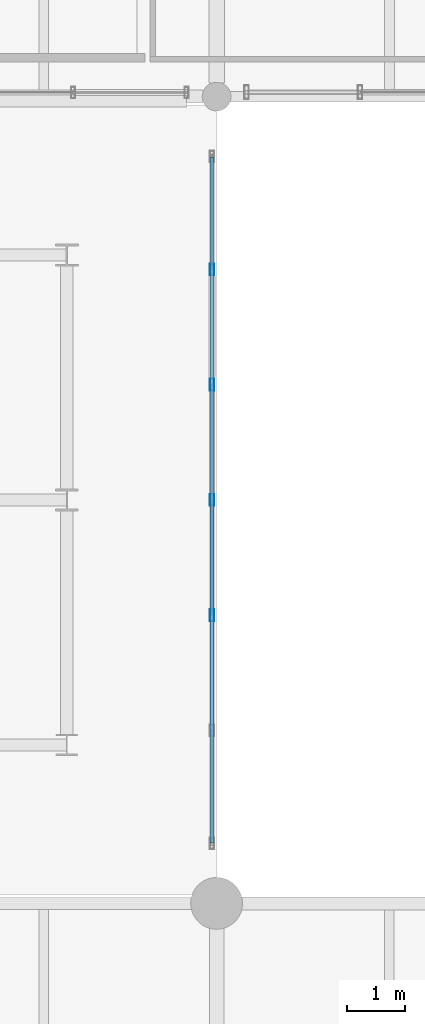
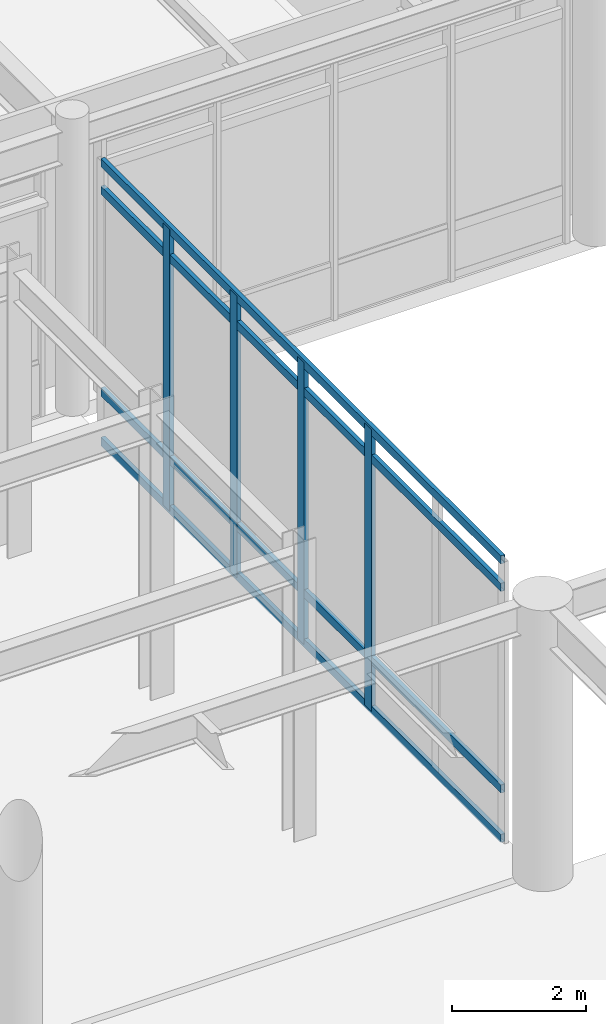
# One storey, part 79 of 203: 8 members, 1 element without a shape of its own.
"""IFC4 building model written with IfcOpenShell, lengths in metres."""

from ifc_helpers import new_model, si_unit, direction, frame, origin, origin_2d, place, context, subcontext, project, spatial, hollow_rectangle, extrude, material, material_profile, profile_set, type_object, element, aggregate, save


model = new_model("IFC4")

# Units and contexts
model_context = context("Model", 3, precision=1e-05, world=origin(), true_north=direction((0.0, 1.0)))
body_context = subcontext(model_context, "Body", "Model", "MODEL_VIEW")
ifc_project = project(units=[si_unit("LENGTHUNIT", "METRE"), si_unit("AREAUNIT", "SQUARE_METRE"), si_unit("VOLUMEUNIT", "CUBIC_METRE"), si_unit("PLANEANGLEUNIT", "RADIAN"), si_unit("MASSUNIT", "GRAM", prefix="KILO"), si_unit("THERMODYNAMICTEMPERATUREUNIT", "KELVIN"), si_unit("POWERUNIT", "WATT")], contexts=[model_context])

# Site, building, storey
site_placement = place(None, origin())
site = spatial("IfcSite", under=ifc_project, at=site_placement, CompositionType="ELEMENT")
building_placement = place(site_placement, origin())
building = spatial("IfcBuilding", under=site, at=building_placement, Name="Tepalcoro Natatorium and Aquatics Centre", CompositionType="ELEMENT")
storey_placement = place(building_placement, origin())
storey = spatial("IfcBuildingStorey", under=building, at=storey_placement, Name="L00", CompositionType="ELEMENT", Elevation=0.0)

# Curtain wall, members
ifc_material = material(Name="Bronze-Anodised Extruded Aluminium Alloy EN AW-6063 T6", Category="aluminium")
curtain_wall_type = type_object("IfcCurtainWallType", Name="CW_LINK_150", PredefinedType="USERDEFINED", material=ifc_material)
curtain_wall_placement = place(storey_placement, origin())
curtain_wall = element("IfcCurtainWall", 1, at=curtain_wall_placement, inside=storey, type_object=curtain_wall_type, Name="West Court Swimmers Arcade Glazed Wall E L00", ObjectType="UNITISED STOREFRONT", PredefinedType="USERDEFINED")
ifc_material_profile_1 = material_profile(ifc_material, hollow_rectangle(XDim=0.070068359375, YDim=0.199951171875, WallThickness=0.0048828125, at=origin_2d()), Name="AL70X200X5")
ifc_profile_set_1 = profile_set([ifc_material_profile_1], Name="Bronze-Anodised Extruded Aluminium Alloy EN AW-6063 T6")
member_type_1 = type_object("IfcMemberType", Name="CW_MUL_70x200", PredefinedType="MULLION", material=ifc_profile_set_1)
member_1_placement = place(storey_placement, frame((70.919921875, 77.0, 0.02001953125), z_axis=(0.0, 0.0, 1.0), x_axis=(1.0, 0.0, 0.0)))
member_1 = element("IfcMember", 2, at=member_1_placement, type_object=member_type_1, Name="CW_LINK_150 Curtain Wall Mullion", PredefinedType="MULLION", context=body_context, shape_type="SweptSolid", body=[
    extrude(hollow_rectangle(XDim=0.070068359375, YDim=0.199951171875, WallThickness=0.0048828125, at=origin_2d()), origin(), (0.0, 0.0, 1.0), 5.119873046875),
])
member_2_placement = place(storey_placement, frame((70.919921875, 79.0, 0.02001953125), z_axis=(0.0, 0.0, 1.0), x_axis=(1.0, 0.0, 0.0)))
member_2 = element("IfcMember", 3, at=member_2_placement, type_object=member_type_1, Name="CW_LINK_150 Curtain Wall Mullion", PredefinedType="MULLION", context=body_context, shape_type="SweptSolid", body=[
    extrude(hollow_rectangle(XDim=0.070068359375, YDim=0.199951171875, WallThickness=0.0048828125, at=origin_2d()), origin(), (0.0, 0.0, 1.0), 5.119873046875),
])
member_3_placement = place(storey_placement, frame((70.919921875, 81.0, 0.02001953125), z_axis=(0.0, 0.0, 1.0), x_axis=(1.0, 0.0, 0.0)))
member_3 = element("IfcMember", 4, at=member_3_placement, type_object=member_type_1, Name="CW_LINK_150 Curtain Wall Mullion", PredefinedType="MULLION", context=body_context, shape_type="SweptSolid", body=[
    extrude(hollow_rectangle(XDim=0.070068359375, YDim=0.199951171875, WallThickness=0.0048828125, at=origin_2d()), origin(), (0.0, 0.0, 1.0), 5.119873046875),
])
member_4_placement = place(storey_placement, frame((70.919921875, 83.0, 0.02001953125), z_axis=(0.0, 0.0, 1.0), x_axis=(1.0, 0.0, 0.0)))
member_4 = element("IfcMember", 5, at=member_4_placement, type_object=member_type_1, Name="CW_LINK_150 Curtain Wall Mullion", PredefinedType="MULLION", context=body_context, shape_type="SweptSolid", body=[
    extrude(hollow_rectangle(XDim=0.070068359375, YDim=0.199951171875, WallThickness=0.0048828125, at=origin_2d()), origin(), (0.0, 0.0, 1.0), 5.119873046875),
])
ifc_material_profile_2 = material_profile(ifc_material, hollow_rectangle(XDim=0.070068359375, YDim=0.14990234375, WallThickness=0.00390625, at=origin_2d()), Name="AL70X150X4")
ifc_profile_set_2 = profile_set([ifc_material_profile_2], Name="Bronze-Anodised Extruded Aluminium Alloy EN AW-6063 T6")
member_type_2 = type_object("IfcMemberType", Name="CW_TRN_70x150", PredefinedType="USERDEFINED", material=ifc_profile_set_2)
member_5_placement = place(storey_placement, frame((70.919921875, 73.050048828125, 0.050048828125), z_axis=(0.0, 1.0, 0.0), x_axis=(-1.0, 0.0, 0.0)))
member_5 = element("IfcMember", 6, at=member_5_placement, type_object=member_type_2, Name="CW_LINK_150 Curtain Wall Transom", ObjectType="TRANSOM", PredefinedType="USERDEFINED", context=body_context, shape_type="SweptSolid", body=[
    extrude(hollow_rectangle(XDim=0.070068359375, YDim=0.14990234375, WallThickness=0.00390625, at=origin_2d()), origin(), (0.0, 0.0, 1.0), 11.89990234375),
])
member_6_placement = place(storey_placement, frame((70.919921875, 73.050048828125, 0.949951171875), z_axis=(0.0, 1.0, 0.0), x_axis=(-1.0, 0.0, 0.0)))
member_6 = element("IfcMember", 7, at=member_6_placement, type_object=member_type_2, Name="CW_LINK_150 Curtain Wall Transom", ObjectType="TRANSOM", PredefinedType="USERDEFINED", context=body_context, shape_type="SweptSolid", body=[
    extrude(hollow_rectangle(XDim=0.070068359375, YDim=0.14990234375, WallThickness=0.00390625, at=origin_2d()), origin(), (0.0, 0.0, 1.0), 11.89990234375),
])
member_7_placement = place(storey_placement, frame((70.919921875, 73.050048828125, 4.610107421875), z_axis=(0.0, 1.0, 0.0), x_axis=(-1.0, 0.0, 0.0)))
member_7 = element("IfcMember", 8, at=member_7_placement, type_object=member_type_2, Name="CW_LINK_150 Curtain Wall Transom", ObjectType="TRANSOM", PredefinedType="USERDEFINED", context=body_context, shape_type="SweptSolid", body=[
    extrude(hollow_rectangle(XDim=0.070068359375, YDim=0.14990234375, WallThickness=0.00390625, at=origin_2d()), origin(), (0.0, 0.0, 1.0), 11.89990234375),
])
member_8_placement = place(storey_placement, frame((70.919921875, 73.050048828125, 5.110107421875), z_axis=(0.0, 1.0, 0.0), x_axis=(-1.0, 0.0, 0.0)))
member_8 = element("IfcMember", 9, at=member_8_placement, type_object=member_type_2, Name="CW_LINK_150 Curtain Wall Transom", ObjectType="TRANSOM", PredefinedType="USERDEFINED", context=body_context, shape_type="SweptSolid", body=[
    extrude(hollow_rectangle(XDim=0.070068359375, YDim=0.14990234375, WallThickness=0.00390625, at=origin_2d()), origin(), (0.0, 0.0, 1.0), 11.89990234375),
])
aggregate(curtain_wall, [member_1, member_2, member_3, member_4, member_5, member_6, member_7, member_8])

save(model, "model.ifc")
